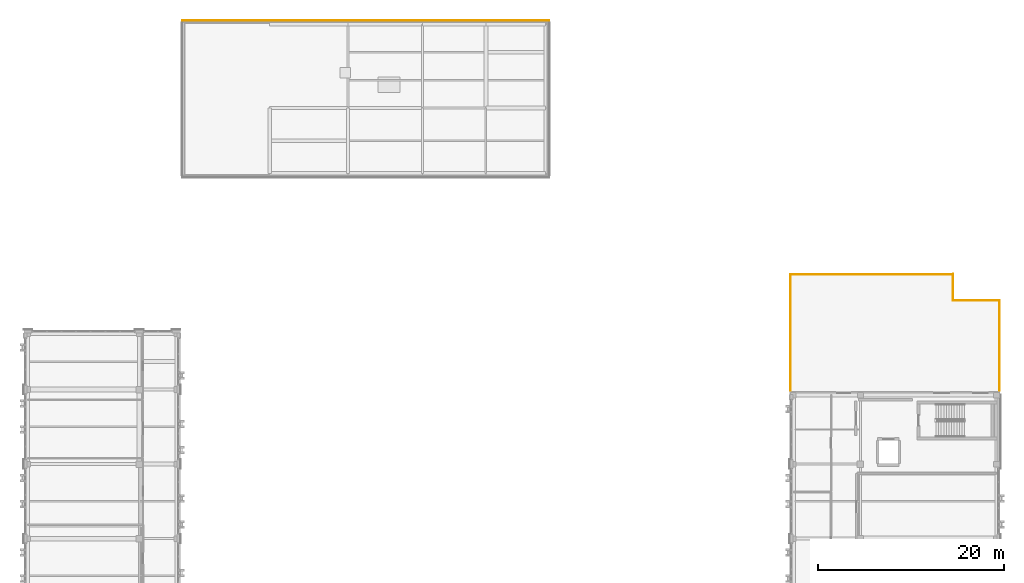
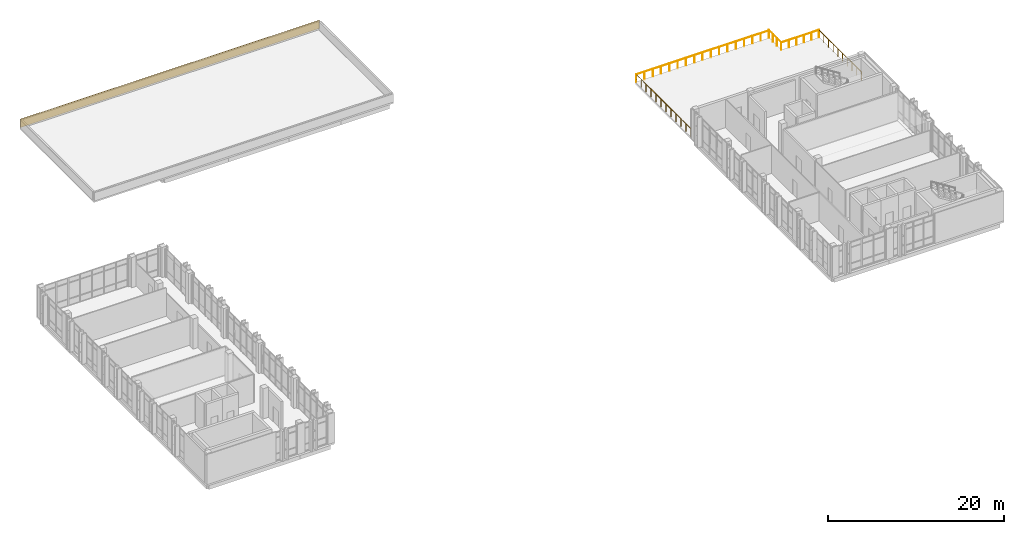
# One storey, part 46 of 48: 5 railings, 1 covering.
"""IFC4 building model written with IfcOpenShell, lengths in metres."""

from ifc_helpers import new_model, si_unit, direction, frame, origin, origin_2d, place, context, subcontext, project, spatial, rectangle, circle, extrude, material, layer, layer_set, type_object, element, save


model = new_model("IFC4")

# Units and contexts
model_context = context("Model", 3, precision=1e-05, world=origin(), true_north=direction((0.0, 1.0)))
body_context = subcontext(model_context, "Body", "Model", "MODEL_VIEW")
ifc_project = project(units=[si_unit("LENGTHUNIT", "METRE"), si_unit("AREAUNIT", "SQUARE_METRE"), si_unit("VOLUMEUNIT", "CUBIC_METRE"), si_unit("PLANEANGLEUNIT", "RADIAN"), si_unit("MASSUNIT", "GRAM", prefix="KILO")], contexts=[model_context])

# Site, building, storey
site_placement = place(None, origin())
site = spatial("IfcSite", under=ifc_project, at=site_placement, CompositionType="ELEMENT")
building_placement = place(site_placement, origin())
building = spatial("IfcBuilding", under=site, at=building_placement, Name="Qalavern Law Courts", CompositionType="ELEMENT")
storey_placement = place(building_placement, frame((0.0, 0.0, 31.199951171875)))
storey = spatial("IfcBuildingStorey", under=building, at=storey_placement, Name="L07", CompositionType="ELEMENT", Elevation=31.199951171875)

# Railings
ifc_material_1 = material(Name="Steel S355", Category="steel")
railing_type = type_object("IfcRailingType", Name="ENV-BAL-1120", PredefinedType="BALUSTRADE", material=ifc_material_1)
railing_1_placement = place(storey_placement, frame((84.280029296875, 73.300048828125, 0.0)))
element("IfcRailing", 1, at=railing_1_placement, inside=storey, type_object=railing_type, Name="V4 outdoor terrace safety guard L07-1", PredefinedType="BALUSTRADE", context=body_context, shape_type="SweptSolid", body=[
    extrude(circle(Radius=0.02392578125, at=origin_2d()), frame((0.0, 0.0, 1.09619140625), z_axis=(0.0, 1.0, 0.0), x_axis=(-1.0, 0.0, 0.0)), (0.0, 0.0, 1.0), 12.419921875),
    extrude(circle(Radius=0.02099609375, at=origin_2d()), origin(), (0.0, 0.0, 1.0), 1.072021484375),
    extrude(circle(Radius=0.02099609375, at=origin_2d()), frame((0.0, 1.129150390625, 0.0)), (0.0, 0.0, 1.0), 1.072021484375),
    extrude(circle(Radius=0.02099609375, at=origin_2d()), frame((0.0, 2.258056640625, 0.0)), (0.0, 0.0, 1.0), 1.072021484375),
    extrude(circle(Radius=0.02099609375, at=origin_2d()), frame((0.0, 3.38720703125, 0.0)), (0.0, 0.0, 1.0), 1.072021484375),
    extrude(circle(Radius=0.02099609375, at=origin_2d()), frame((0.0, 4.516357421875, 0.0)), (0.0, 0.0, 1.0), 1.072021484375),
    extrude(circle(Radius=0.02099609375, at=origin_2d()), frame((0.0, 5.6455078125, 0.0)), (0.0, 0.0, 1.0), 1.072021484375),
    extrude(circle(Radius=0.02099609375, at=origin_2d()), frame((0.0, 6.7744140625, 0.0)), (0.0, 0.0, 1.0), 1.072021484375),
    extrude(circle(Radius=0.02099609375, at=origin_2d()), frame((0.0, 7.903564453125, 0.0)), (0.0, 0.0, 1.0), 1.072021484375),
    extrude(circle(Radius=0.02099609375, at=origin_2d()), frame((0.0, 9.03271484375, 0.0)), (0.0, 0.0, 1.0), 1.072021484375),
    extrude(circle(Radius=0.02099609375, at=origin_2d()), frame((0.0, 10.161865234375, 0.0)), (0.0, 0.0, 1.0), 1.072021484375),
    extrude(circle(Radius=0.02099609375, at=origin_2d()), frame((0.0, 11.290771484375, 0.0)), (0.0, 0.0, 1.0), 1.072021484375),
    extrude(circle(Radius=0.02099609375, at=origin_2d()), frame((0.0, 12.419921875, 0.0)), (0.0, 0.0, 1.0), 1.072021484375),
])
railing_2_placement = place(storey_placement, frame((84.280029296875, 85.719970703125, 0.0)))
element("IfcRailing", 2, at=railing_2_placement, inside=storey, type_object=railing_type, Name="V4 outdoor terrace safety guard L07-2", PredefinedType="BALUSTRADE", context=body_context, shape_type="SweptSolid", body=[
    extrude(circle(Radius=0.02392578125, at=origin_2d()), frame((0.0, 0.0, 1.09619140625), z_axis=(1.0, 0.0, 0.0), x_axis=(0.0, 1.0, 0.0)), (0.0, 0.0, 1.0), 17.469970703125),
    extrude(circle(Radius=0.02099609375, at=origin_2d()), origin(), (0.0, 0.0, 1.0), 1.072021484375),
    extrude(circle(Radius=0.02099609375, at=origin_2d()), frame((1.091796875, 0.0, 0.0)), (0.0, 0.0, 1.0), 1.072021484375),
    extrude(circle(Radius=0.02099609375, at=origin_2d()), frame((2.183837890625, 0.0, 0.0)), (0.0, 0.0, 1.0), 1.072021484375),
    extrude(circle(Radius=0.02099609375, at=origin_2d()), frame((3.275634765625, 0.0, 0.0)), (0.0, 0.0, 1.0), 1.072021484375),
    extrude(circle(Radius=0.02099609375, at=origin_2d()), frame((4.367431640625, 0.0, 0.0)), (0.0, 0.0, 1.0), 1.072021484375),
    extrude(circle(Radius=0.02099609375, at=origin_2d()), frame((5.45947265625, 0.0, 0.0)), (0.0, 0.0, 1.0), 1.072021484375),
    extrude(circle(Radius=0.02099609375, at=origin_2d()), frame((6.55126953125, 0.0, 0.0)), (0.0, 0.0, 1.0), 1.072021484375),
    extrude(circle(Radius=0.02099609375, at=origin_2d()), frame((7.64306640625, 0.0, 0.0)), (0.0, 0.0, 1.0), 1.072021484375),
    extrude(circle(Radius=0.02099609375, at=origin_2d()), frame((8.73486328125, 0.0, 0.0)), (0.0, 0.0, 1.0), 1.072021484375),
    extrude(circle(Radius=0.02099609375, at=origin_2d()), frame((9.826904296875, 0.0, 0.0)), (0.0, 0.0, 1.0), 1.072021484375),
    extrude(circle(Radius=0.02099609375, at=origin_2d()), frame((10.918701171875, 0.0, 0.0)), (0.0, 0.0, 1.0), 1.072021484375),
    extrude(circle(Radius=0.02099609375, at=origin_2d()), frame((12.010498046875, 0.0, 0.0)), (0.0, 0.0, 1.0), 1.072021484375),
    extrude(circle(Radius=0.02099609375, at=origin_2d()), frame((13.1025390625, 0.0, 0.0)), (0.0, 0.0, 1.0), 1.072021484375),
    extrude(circle(Radius=0.02099609375, at=origin_2d()), frame((14.1943359375, 0.0, 0.0)), (0.0, 0.0, 1.0), 1.072021484375),
    extrude(circle(Radius=0.02099609375, at=origin_2d()), frame((15.2861328125, 0.0, 0.0)), (0.0, 0.0, 1.0), 1.072021484375),
    extrude(circle(Radius=0.02099609375, at=origin_2d()), frame((16.378173828125, 0.0, 0.0)), (0.0, 0.0, 1.0), 1.072021484375),
    extrude(circle(Radius=0.02099609375, at=origin_2d()), frame((17.469970703125, 0.0, 0.0)), (0.0, 0.0, 1.0), 1.072021484375),
])
railing_3_placement = place(storey_placement, frame((101.75, 85.780029296875, 0.0)))
element("IfcRailing", 3, at=railing_3_placement, inside=storey, type_object=railing_type, Name="V4 outdoor terrace safety guard L07-3", PredefinedType="BALUSTRADE", context=body_context, shape_type="SweptSolid", body=[
    extrude(circle(Radius=0.02392578125, at=origin_2d()), frame((0.0, 0.0, 1.09619140625), z_axis=(0.0, -1.0, 0.0), x_axis=(1.0, 0.0, 0.0)), (0.0, 0.0, 1.0), 2.830078125),
    extrude(circle(Radius=0.02099609375, at=origin_2d()), origin(), (0.0, 0.0, 1.0), 1.072021484375),
    extrude(circle(Radius=0.02099609375, at=origin_2d()), frame((0.0, -0.943359375, 0.0)), (0.0, 0.0, 1.0), 1.072021484375),
    extrude(circle(Radius=0.02099609375, at=origin_2d()), frame((0.0, -1.88671875, 0.0)), (0.0, 0.0, 1.0), 1.072021484375),
    extrude(circle(Radius=0.02099609375, at=origin_2d()), frame((0.0, -2.830078125, 0.0)), (0.0, 0.0, 1.0), 1.072021484375),
])
railing_4_placement = place(storey_placement, frame((101.75, 82.949951171875, 0.0)))
element("IfcRailing", 4, at=railing_4_placement, inside=storey, type_object=railing_type, Name="V4 outdoor terrace safety guard L07-4", PredefinedType="BALUSTRADE", context=body_context, shape_type="SweptSolid", body=[
    extrude(circle(Radius=0.02392578125, at=origin_2d()), frame((0.0, 0.0, 1.09619140625), z_axis=(1.0, 0.0, 0.0), x_axis=(0.0, 1.0, 0.0)), (0.0, 0.0, 1.0), 4.969970703125),
    extrude(circle(Radius=0.02099609375, at=origin_2d()), origin(), (0.0, 0.0, 1.0), 1.072021484375),
    extrude(circle(Radius=0.02099609375, at=origin_2d()), frame((0.993896484375, 0.0, 0.0)), (0.0, 0.0, 1.0), 1.072021484375),
    extrude(circle(Radius=0.02099609375, at=origin_2d()), frame((1.988037109375, 0.0, 0.0)), (0.0, 0.0, 1.0), 1.072021484375),
    extrude(circle(Radius=0.02099609375, at=origin_2d()), frame((2.98193359375, 0.0, 0.0)), (0.0, 0.0, 1.0), 1.072021484375),
    extrude(circle(Radius=0.02099609375, at=origin_2d()), frame((3.97607421875, 0.0, 0.0)), (0.0, 0.0, 1.0), 1.072021484375),
    extrude(circle(Radius=0.02099609375, at=origin_2d()), frame((4.969970703125, 0.0, 0.0)), (0.0, 0.0, 1.0), 1.072021484375),
])
railing_5_placement = place(storey_placement, frame((106.719970703125, 82.949951171875, 0.0)))
element("IfcRailing", 5, at=railing_5_placement, inside=storey, type_object=railing_type, Name="V4 outdoor terrace safety guard L07-5", PredefinedType="BALUSTRADE", context=body_context, shape_type="SweptSolid", body=[
    extrude(circle(Radius=0.02392578125, at=origin_2d()), frame((0.0, 0.0, 1.09619140625), z_axis=(0.0, -1.0, 0.0), x_axis=(1.0, 0.0, 0.0)), (0.0, 0.0, 1.0), 9.64990234375),
    extrude(circle(Radius=0.02099609375, at=origin_2d()), origin(), (0.0, 0.0, 1.0), 1.072021484375),
    extrude(circle(Radius=0.02099609375, at=origin_2d()), frame((0.0, -1.072265625, 0.0)), (0.0, 0.0, 1.0), 1.072021484375),
    extrude(circle(Radius=0.02099609375, at=origin_2d()), frame((0.0, -2.14453125, 0.0)), (0.0, 0.0, 1.0), 1.072021484375),
    extrude(circle(Radius=0.02099609375, at=origin_2d()), frame((0.0, -3.216552734375, 0.0)), (0.0, 0.0, 1.0), 1.072021484375),
    extrude(circle(Radius=0.02099609375, at=origin_2d()), frame((0.0, -4.288818359375, 0.0)), (0.0, 0.0, 1.0), 1.072021484375),
    extrude(circle(Radius=0.02099609375, at=origin_2d()), frame((0.0, -5.361083984375, 0.0)), (0.0, 0.0, 1.0), 1.072021484375),
    extrude(circle(Radius=0.02099609375, at=origin_2d()), frame((0.0, -6.433349609375, 0.0)), (0.0, 0.0, 1.0), 1.072021484375),
    extrude(circle(Radius=0.02099609375, at=origin_2d()), frame((0.0, -7.50537109375, 0.0)), (0.0, 0.0, 1.0), 1.072021484375),
    extrude(circle(Radius=0.02099609375, at=origin_2d()), frame((0.0, -8.57763671875, 0.0)), (0.0, 0.0, 1.0), 1.072021484375),
    extrude(circle(Radius=0.02099609375, at=origin_2d()), frame((0.0, -9.64990234375, 0.0)), (0.0, 0.0, 1.0), 1.072021484375),
])

# Covering
ifc_material_2 = material(Name="Precast concrete C40/50", Category="concrete")
ifc_layer = layer(ifc_material_2, 0.06005859375)
ifc_layer_set = layer_set([ifc_layer], Name="Precast concrete C40/50")
covering_type = type_object("IfcCoveringType", Name="ENV-CLD-1", PredefinedType="CLADDING", material=ifc_layer_set)
covering_placement = place(storey_placement, frame((38.7099609375, 113.027099609375, 0.0048828125), z_axis=(0.0, 0.0, 1.0), x_axis=(-1.0, 0.0, 0.0)))
element("IfcCovering", 6, at=covering_placement, inside=storey, type_object=covering_type, Name="V5 Absheron limestone parapet coping L07 N", PredefinedType="CLADDING", context=body_context, shape_type="SweptSolid", body=[
    extrude(rectangle(XDim=39.360107421875, YDim=0.06005859375, at=origin_2d()), origin(), (0.0, 0.0, 1.0), 1.139892578125),
])

save(model, "model.ifc")
